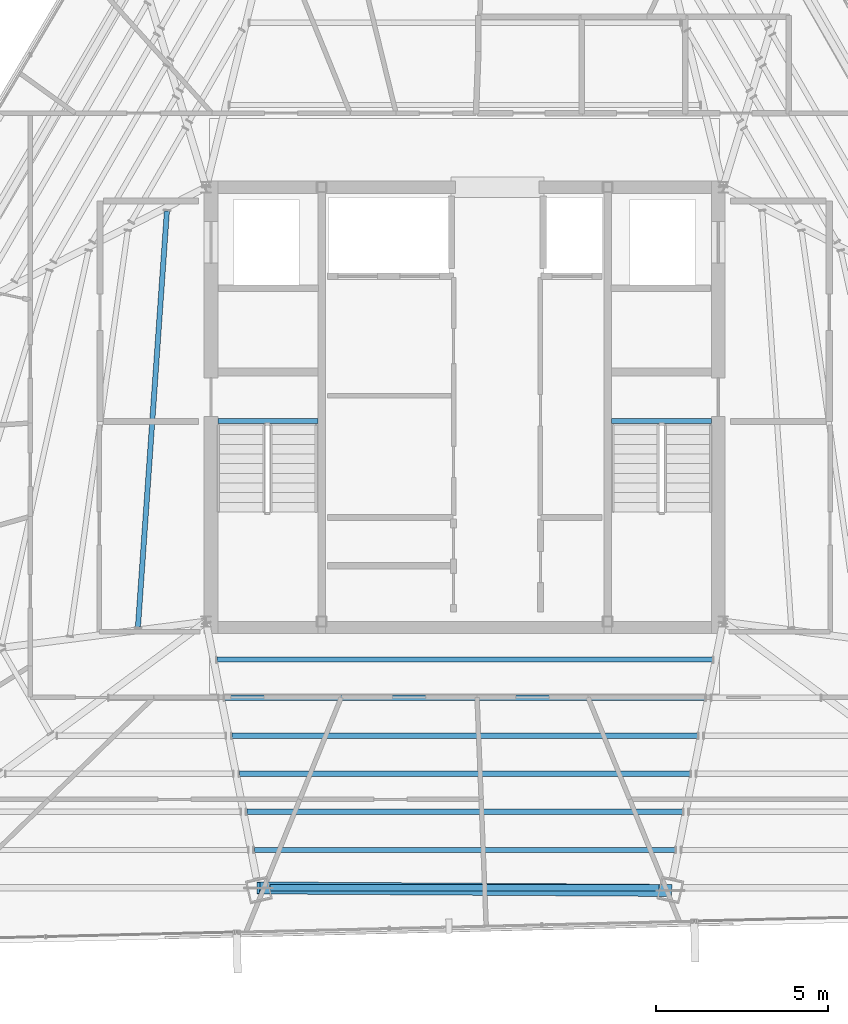
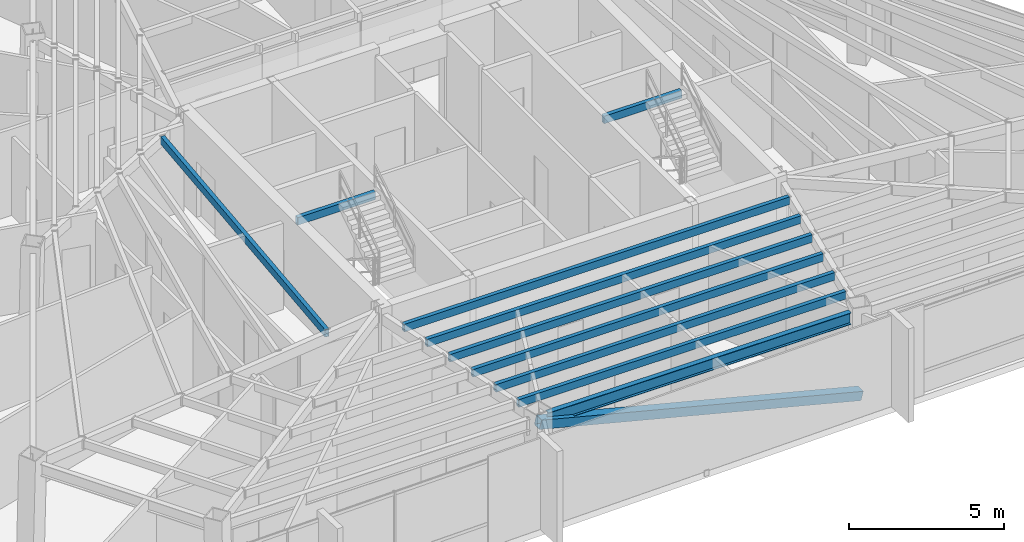
# One storey, part 14 of 48: 10 beams, 1 member.
"""IFC4 building model written with IfcOpenShell, lengths in metres."""

from ifc_helpers import new_model, si_unit, direction, frame, origin, origin_2d, place, context, subcontext, project, spatial, hollow_rectangle, i_section, extrude, source, transform, mapped, material, material_profile, profile_set, type_object, type_shapes, element, save


model = new_model("IFC4")

# Units and contexts
model_context = context("Model", 3, precision=1e-05, world=origin(), true_north=direction((0.0, 1.0)))
body_context = subcontext(model_context, "Body", "Model", "MODEL_VIEW")
ifc_project = project(units=[si_unit("LENGTHUNIT", "METRE"), si_unit("AREAUNIT", "SQUARE_METRE"), si_unit("VOLUMEUNIT", "CUBIC_METRE"), si_unit("PLANEANGLEUNIT", "RADIAN"), si_unit("MASSUNIT", "GRAM", prefix="KILO")], contexts=[model_context])

# Site, building, storey
site_placement = place(None, origin())
site = spatial("IfcSite", under=ifc_project, at=site_placement, CompositionType="ELEMENT")
building_placement = place(site_placement, origin())
building = spatial("IfcBuilding", under=site, at=building_placement, Name="Caelisora Broadcast Tower", CompositionType="ELEMENT")
storey_placement = place(building_placement, frame((0.0, 0.0, 270.0)))
storey = spatial("IfcBuildingStorey", under=building, at=storey_placement, Name="L71", CompositionType="ELEMENT", Elevation=270.0)

# Beams
ifc_material_1 = material(Name="Steel Grade 350 (AS/NZS 1163 C350L0)", Category="steel")
ifc_material_profile_1 = material_profile(ifc_material_1, hollow_rectangle(XDim=0.14990234375, YDim=0.300048828125, WallThickness=0.010009765625, at=origin_2d()), Name="Steel Grade 350 (AS/NZS 1163 C350L0)")
ifc_profile_set_1 = profile_set([ifc_material_profile_1], Name="Steel Grade 350 (AS/NZS 1163 C350L0)")
beam_type_1 = type_object("IfcBeamType", Name="SB05", PredefinedType="JOIST", material=ifc_profile_set_1)
shared_shape_1 = source(origin(), body_context, "Body", "SweptSolid", [
    extrude(hollow_rectangle(XDim=0.14990234375, YDim=0.300048828125, WallThickness=0.010009765625, at=origin_2d()), origin(), (0.0, 0.0, 1.0), 2.89990234375),
])
for number, where, z_axis, x_axis, name in (
    (1, (30.840087890625, 23.219970703125, 3.25), (1.0, 0.0, 0.0), (0.0, 1.0, 0.0), "L71 beam SB05"),
    (2, (42.260009765625, 23.219970703125, 3.25), (1.0, 0.0, 0.0), (0.0, 1.0, 0.0), "L71 beam SB05"),
):
    element("IfcBeam", number, at=place(storey_placement, frame(where, z_axis=z_axis, x_axis=x_axis)), inside=storey, type_object=beam_type_1, Name=name, PredefinedType="JOIST", context=body_context, shape_type="MappedRepresentation", body=[
        mapped(shared_shape_1, transform((0.0, 0.0, 0.0), scale=1.0)),
    ])
ifc_material_2 = material(Name="Steel Grade 350 (AS/NZS 3679.1)", Category="steel")
ifc_material_profile_2 = material_profile(ifc_material_2, i_section(OverallWidth=0.19091796875, OverallDepth=0.46044921875, WebThickness=0.010009765625, FlangeThickness=0.01611328125, at=origin_2d()), Name="Steel Grade 350 (AS/NZS 3679.1)")
ifc_profile_set_2 = profile_set([ifc_material_profile_2], Name="Steel Grade 350 (AS/NZS 3679.1)")
beam_type_2 = type_object("IfcBeamType", Name="PG06", PredefinedType="BEAM", material=ifc_profile_set_2)
shared_shape_2 = source(origin(), body_context, "Body", "SweptSolid", [
    extrude(i_section(OverallWidth=0.19091796875, OverallDepth=0.46044921875, WebThickness=0.010009765625, FlangeThickness=0.01611328125, at=origin_2d()), origin(), (0.0, 0.0, 1.0), 11.2880859375),
])
type_shapes(beam_type_2, [shared_shape_2])
beam_1_placement = place(storey_placement, frame((32.35595703125, 9.673583984375, 3.169921875), z_axis=(1.0, 0.0, 0.0), x_axis=(0.0, 1.0, 0.0)))
element("IfcBeam", 3, at=beam_1_placement, inside=storey, type_object=beam_type_2, Name="L71 beam PG06", PredefinedType="BEAM", context=body_context, shape_type="MappedRepresentation", body=[
    mapped(shared_shape_2, transform((0.0, 0.0, 0.0), scale=1.0)),
])
shared_shape_3 = source(origin(), body_context, "Body", "SweptSolid", [
    extrude(hollow_rectangle(XDim=0.14990234375, YDim=0.300048828125, WallThickness=0.010009765625, at=origin_2d()), origin(), (0.0, 0.0, 1.0), 12.097412109375),
])
beam_2_placement = place(storey_placement, frame((29.36376953125, 29.312744140625, 3.25), z_axis=(-0.069424047782, -0.99758724009, 0.0), x_axis=(0.99758724009, -0.069424047782, 0.0)))
element("IfcBeam", 4, at=beam_2_placement, inside=storey, type_object=beam_type_1, Name="L71 beam SB05", PredefinedType="JOIST", context=body_context, shape_type="MappedRepresentation", body=[
    mapped(shared_shape_3, transform((0.0, 0.0, 0.0), scale=1.0)),
])
shared_shape_4 = source(origin(), body_context, "Body", "SweptSolid", [
    extrude(hollow_rectangle(XDim=0.14990234375, YDim=0.300048828125, WallThickness=0.010009765625, at=origin_2d()), origin(), (0.0, 0.0, 1.0), 14.36865234375),
])
beam_3_placement = place(storey_placement, frame((30.815673828125, 16.296142578125, 3.25), z_axis=(1.0, 0.0, 0.0), x_axis=(0.0, 1.0, 0.0)))
element("IfcBeam", 5, at=beam_3_placement, inside=storey, type_object=beam_type_1, Name="L71 beam SB05", PredefinedType="JOIST", context=body_context, shape_type="MappedRepresentation", body=[
    mapped(shared_shape_4, transform((0.0, 0.0, 0.0), scale=1.0)),
])
shared_shape_5 = source(origin(), body_context, "Body", "SweptSolid", [
    extrude(hollow_rectangle(XDim=0.14990234375, YDim=0.300048828125, WallThickness=0.010009765625, at=origin_2d()), origin(), (0.0, 0.0, 1.0), 13.9345703125),
])
beam_4_placement = place(storey_placement, frame((31.03271484375, 15.1923828125, 3.25), z_axis=(1.0, 0.0, 0.0), x_axis=(0.0, 1.0, 0.0)))
element("IfcBeam", 6, at=beam_4_placement, inside=storey, type_object=beam_type_1, Name="L71 beam SB05", PredefinedType="JOIST", context=body_context, shape_type="MappedRepresentation", body=[
    mapped(shared_shape_5, transform((0.0, 0.0, 0.0), scale=1.0)),
])
shared_shape_6 = source(origin(), body_context, "Body", "SweptSolid", [
    extrude(hollow_rectangle(XDim=0.14990234375, YDim=0.300048828125, WallThickness=0.010009765625, at=origin_2d()), origin(), (0.0, 0.0, 1.0), 13.5009765625),
])
beam_5_placement = place(storey_placement, frame((31.24951171875, 14.088623046875, 3.25), z_axis=(1.0, 0.0, 0.0), x_axis=(0.0, 1.0, 0.0)))
element("IfcBeam", 7, at=beam_5_placement, inside=storey, type_object=beam_type_1, Name="L71 beam SB05", PredefinedType="JOIST", context=body_context, shape_type="MappedRepresentation", body=[
    mapped(shared_shape_6, transform((0.0, 0.0, 0.0), scale=1.0)),
])
shared_shape_7 = source(origin(), body_context, "Body", "SweptSolid", [
    extrude(hollow_rectangle(XDim=0.14990234375, YDim=0.300048828125, WallThickness=0.010009765625, at=origin_2d()), origin(), (0.0, 0.0, 1.0), 13.0673828125),
])
beam_6_placement = place(storey_placement, frame((31.46630859375, 12.98486328125, 3.25), z_axis=(1.0, 0.0, 0.0), x_axis=(0.0, 1.0, 0.0)))
element("IfcBeam", 8, at=beam_6_placement, inside=storey, type_object=beam_type_1, Name="L71 beam SB05", PredefinedType="JOIST", context=body_context, shape_type="MappedRepresentation", body=[
    mapped(shared_shape_7, transform((0.0, 0.0, 0.0), scale=1.0)),
])
shared_shape_8 = source(origin(), body_context, "Body", "SweptSolid", [
    extrude(hollow_rectangle(XDim=0.14990234375, YDim=0.300048828125, WallThickness=0.010009765625, at=origin_2d()), origin(), (0.0, 0.0, 1.0), 12.6337890625),
])
beam_7_placement = place(storey_placement, frame((31.68310546875, 11.881103515625, 3.25), z_axis=(1.0, 0.0, 0.0), x_axis=(0.0, 1.0, 0.0)))
element("IfcBeam", 9, at=beam_7_placement, inside=storey, type_object=beam_type_1, Name="L71 beam SB05", PredefinedType="JOIST", context=body_context, shape_type="MappedRepresentation", body=[
    mapped(shared_shape_8, transform((0.0, 0.0, 0.0), scale=1.0)),
])
shared_shape_9 = source(origin(), body_context, "Body", "SweptSolid", [
    extrude(hollow_rectangle(XDim=0.14990234375, YDim=0.300048828125, WallThickness=0.010009765625, at=origin_2d()), origin(), (0.0, 0.0, 1.0), 12.2001953125),
])
type_shapes(beam_type_1, [shared_shape_1, shared_shape_3, shared_shape_4, shared_shape_5, shared_shape_6, shared_shape_7, shared_shape_8, shared_shape_9])
beam_8_placement = place(storey_placement, frame((31.89990234375, 10.77734375, 3.25), z_axis=(1.0, 0.0, 0.0), x_axis=(0.0, 1.0, 0.0)))
element("IfcBeam", 10, at=beam_8_placement, inside=storey, type_object=beam_type_1, Name="L71 beam SB05", PredefinedType="JOIST", context=body_context, shape_type="MappedRepresentation", body=[
    mapped(shared_shape_9, transform((0.0, 0.0, 0.0), scale=1.0)),
])

# Member
ifc_material_3 = material(Name="Steel Grade 450 (AS/NZS 1163 C450L0)", Category="steel")
ifc_material_profile_3 = material_profile(ifc_material_3, hollow_rectangle(XDim=0.35009765625, YDim=0.35009765625, WallThickness=0.012451171875, at=origin_2d()), Name="Steel Grade 450 (AS/NZS 1163 C450L0)")
ifc_profile_set_3 = profile_set([ifc_material_profile_3], Name="Steel Grade 450 (AS/NZS 1163 C450L0)")
member_type = type_object("IfcMemberType", Name="BR05", PredefinedType="BRACE", material=ifc_profile_set_3)
shared_shape_10 = source(origin(), body_context, "Body", "SweptSolid", [
    extrude(hollow_rectangle(XDim=0.35009765625, YDim=0.35009765625, WallThickness=0.012451171875, at=origin_2d()), origin(), (0.0, 0.0, 1.0), 12.319091796875),
])
type_shapes(member_type, [shared_shape_10])
member_placement = place(storey_placement, frame((32.017822265625, 9.673583984375, 3.10009765625), z_axis=(0.969876990533, -0.005866151519, -0.243524560364), x_axis=(0.006048235271, 0.999981709258, 0.0)))
element("IfcMember", 11, at=member_placement, inside=storey, type_object=member_type, Name="L71 perimeter brace BR05", PredefinedType="BRACE", context=body_context, shape_type="MappedRepresentation", body=[
    mapped(shared_shape_10, transform((0.0, 0.0, 0.0), scale=1.0)),
])

save(model, "model.ifc")
